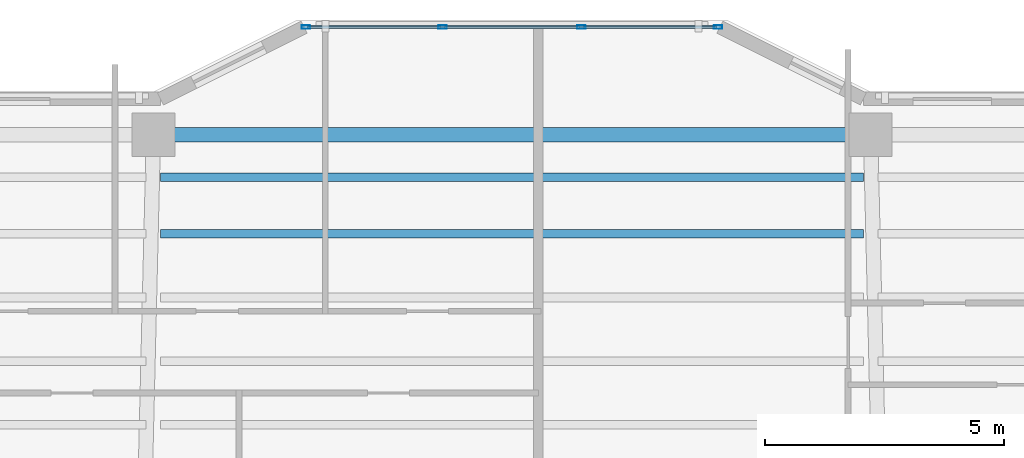
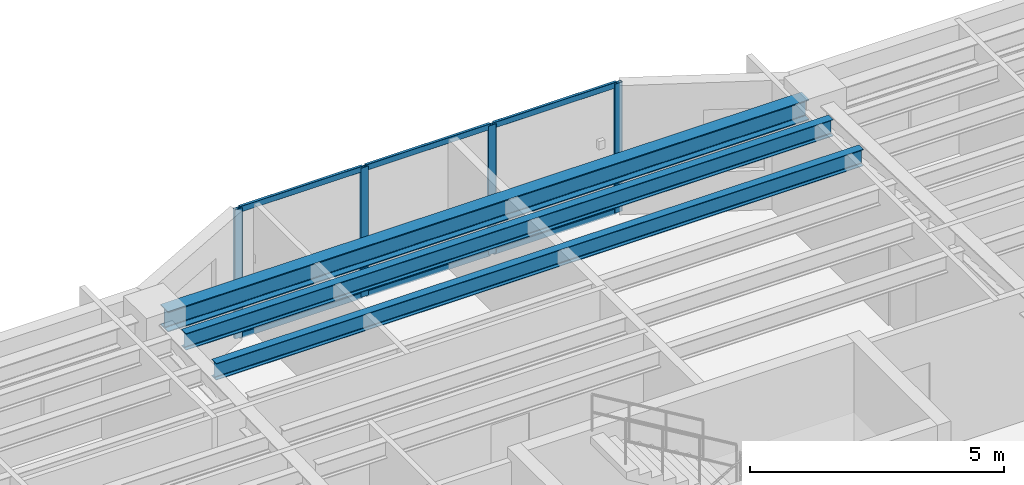
# One storey, part 4 of 16: 10 members, 3 beams, 1 element without a shape of its own.
"""IFC4 building model written with IfcOpenShell, lengths in metres."""

import ifcopenshell
import ifcopenshell.guid

model = None  # the IFC model being written
_history = None  # IfcOwnerHistory: only IFC2X3 demands one
_inside = {}  # id of a spatial element -> (the spatial element, [elements in it])
_under = {}  # id of a project, library or spatial element -> (it, [spatial elements below it])
_declared = {}  # id of a project -> (the project, [libraries it declares])
_typed = {}  # id of a type object -> (the type object, [elements of that type])
_made_of = {}  # id of a material, layer set ... -> (it, [elements and type objects made of it])


def new_model(schema):
    """Start an empty IFC model of exactly this schema.

    Asked for "IFC4X3", IfcOpenShell would pick the latest addendum, in which some entities
    have other attributes; the version numbers below select the first issue.
    IFC2X3 requires an IfcOwnerHistory on every rooted entity: one is made here for all.
    """
    global model, _history
    if schema == "IFC4X3":
        model = ifcopenshell.file(schema_version=(4, 3, 0, 0))
    else:
        model = ifcopenshell.file(schema=schema)
    _inside.clear()
    _under.clear()
    _declared.clear()
    _typed.clear()
    _made_of.clear()
    _history = None
    if model.schema == "IFC2X3":
        org = make("IfcOrganization", Name="unknown")
        user = make(
            "IfcPersonAndOrganization",
            ThePerson=make("IfcPerson", FamilyName="unknown"),
            TheOrganization=org,
        )
        app = make(
            "IfcApplication",
            ApplicationDeveloper=org,
            Version="unknown",
            ApplicationFullName="unknown",
            ApplicationIdentifier="unknown",
        )
        _history = make(
            "IfcOwnerHistory",
            OwningUser=user,
            OwningApplication=app,
            ChangeAction="ADDED",
            CreationDate=0,
        )
    return model


def make(cls, **values):
    """One entity of the class cls with the attributes given. An attribute that is None is left unset."""
    return model.create_entity(
        cls, **{name: value for name, value in values.items() if value is not None}
    )


def rooted(cls, **values):
    """An entity with a GlobalId (a new one), such as an element, a storey or a relation."""
    return make(cls, GlobalId=ifcopenshell.guid.new(), OwnerHistory=_history, **values)


def si_unit(unit_type, name, prefix=None):
    """IfcSIUnit, for example si_unit("LENGTHUNIT", "METRE", prefix="MILLI")."""
    return make("IfcSIUnit", UnitType=unit_type, Prefix=prefix, Name=name)


def assignment(units):
    """IfcUnitAssignment: the units of a project."""
    return None if units is None else make("IfcUnitAssignment", Units=units)


def point(xyz):
    """IfcCartesianPoint."""
    return None if xyz is None else make("IfcCartesianPoint", Coordinates=xyz)


def direction(xyz):
    """IfcDirection."""
    return None if xyz is None else make("IfcDirection", DirectionRatios=xyz)


def frame(location, z_axis=None, x_axis=None):
    """IfcAxis2Placement3D, a coordinate frame: its origin and axes. An axis left out is left unset."""
    return make(
        "IfcAxis2Placement3D",
        Location=point(location),
        Axis=direction(z_axis),
        RefDirection=direction(x_axis),
    )


def frame_2d(location, x_axis=None):
    """IfcAxis2Placement2D, a coordinate frame in the plane: its origin and x axis."""
    return make(
        "IfcAxis2Placement2D", Location=point(location), RefDirection=direction(x_axis)
    )


def origin():
    """The frame at (0, 0, 0) with its axes left unset."""
    return frame((0.0, 0.0, 0.0))


def origin_2d():
    """The frame at (0, 0) in the plane with its x axis left unset."""
    return frame_2d((0.0, 0.0))


def place(relative_to, where):
    """IfcLocalPlacement: puts the frame where relative to a parent placement (None: the world)."""
    return make(
        "IfcLocalPlacement", PlacementRelTo=relative_to, RelativePlacement=where
    )


def context(
    kind, dimensions, precision=None, world=None, true_north=None, identifier=None
):
    """IfcGeometricRepresentationContext, for example the 3D "Model" context."""
    return make(
        "IfcGeometricRepresentationContext",
        ContextIdentifier=identifier,
        ContextType=kind,
        CoordinateSpaceDimension=dimensions,
        Precision=precision,
        WorldCoordinateSystem=world,
        TrueNorth=true_north,
    )


def subcontext(parent, identifier, kind, view, scale=None):
    """IfcGeometricRepresentationSubContext, for example "Body" below "Model"."""
    return make(
        "IfcGeometricRepresentationSubContext",
        ContextIdentifier=identifier,
        ContextType=kind,
        ParentContext=parent,
        TargetScale=scale,
        TargetView=view,
    )


def project(units=None, contexts=None):
    """IfcProject with its units and contexts."""
    return rooted(
        "IfcProject",
        Name="project",
        RepresentationContexts=contexts,
        UnitsInContext=assignment(units),
    )


def spatial(cls, under=None, at=None, **own):
    """A site, building, storey or space (cls), placed at a placement, below another one or the project."""
    s = rooted(cls, ObjectPlacement=at, **own)
    if under is not None:
        _under.setdefault(under.id(), (under, []))[1].append(s)
    return s


def profile(cls, at=None, kind="AREA", **sizes):
    """A parametric profile (cls). Its sizes go by their IFC names, for example OverallWidth=200.0."""
    return make(cls, ProfileType=kind, Position=at, **sizes)


def hollow_rectangle(**sizes):
    """IfcRectangleHollowProfileDef."""
    return profile("IfcRectangleHollowProfileDef", **sizes)


def i_section(**sizes):
    """IfcIShapeProfileDef."""
    return profile("IfcIShapeProfileDef", **sizes)


def extrude(swept, where, along, depth):
    """IfcExtrudedAreaSolid: the profile swept, set in the frame where, extruded along a direction by depth."""
    return make(
        "IfcExtrudedAreaSolid",
        SweptArea=swept,
        Position=where,
        ExtrudedDirection=direction(along),
        Depth=depth,
    )


def shape(context_of_items, identifier, shape_type, items):
    """IfcShapeRepresentation: the items that make up one representation, for example the "Body"."""
    return make(
        "IfcShapeRepresentation",
        ContextOfItems=context_of_items,
        RepresentationIdentifier=identifier,
        RepresentationType=shape_type,
        Items=items,
    )


def material(Name=None, Category=None):
    """IfcMaterial."""
    return make("IfcMaterial", Name=Name, Category=Category)


def layer(
    of_material, thickness, ventilated=None, Name=None, Category=None, Priority=None
):
    """IfcMaterialLayer: one layer of a wall or slab, of a material (None: an air gap)."""
    return make(
        "IfcMaterialLayer",
        Material=of_material,
        LayerThickness=thickness,
        IsVentilated=ventilated,
        Name=Name,
        Category=Category,
        Priority=Priority,
    )


def layer_set(layers, Name=None):
    """IfcMaterialLayerSet."""
    return make("IfcMaterialLayerSet", MaterialLayers=layers, LayerSetName=Name)


def material_profile(
    of_material, cross_section, Name=None, Category=None, Priority=None
):
    """IfcMaterialProfile: a cross section and its material."""
    return make(
        "IfcMaterialProfile",
        Name=Name,
        Material=of_material,
        Profile=cross_section,
        Priority=Priority,
        Category=Category,
    )


def profile_set(profiles, Name=None, composite=None):
    """IfcMaterialProfileSet."""
    return make(
        "IfcMaterialProfileSet",
        Name=Name,
        MaterialProfiles=profiles,
        CompositeProfile=composite,
    )


def made_of(thing, what):
    """Note that an element or type object is made of a material, layer set ...; save() writes the relation."""
    if what is not None:
        _made_of.setdefault(what.id(), (what, []))[1].append(thing)
    return thing


def type_object(cls, material=None, **own):
    """A type object (cls), such as IfcWallType, which elements share."""
    return made_of(rooted(cls, **own), material)


def element(
    cls,
    number,
    at=None,
    inside=None,
    cuts=None,
    type_object=None,
    material=None,
    context=None,
    identifier="Body",
    shape_type=None,
    held_by="IfcProductDefinitionShape",
    body=None,
    shapes=None,
    **own,
):
    """One element of the class cls, such as IfcWall. Its Tag is "e" and its number.

    at: its placement. inside: the storey or other place that contains it. cuts: it is an
    opening in that element (IfcRelVoidsElement). A single representation is given by context,
    identifier, shape_type and body (its items); several are given by shapes. held_by: the class
    of the entity that holds the representations. save() writes the other relations.
    """
    e = rooted(cls, Tag="e%d" % number, ObjectPlacement=at, **own)
    if body is not None:
        shapes = [shape(context, identifier, shape_type, body)]
    if shapes is not None:
        e.Representation = make(held_by, Representations=shapes)
    if inside is not None:
        _inside.setdefault(inside.id(), (inside, []))[1].append(e)
    if cuts is not None:
        rooted(
            "IfcRelVoidsElement", RelatingBuildingElement=cuts, RelatedOpeningElement=e
        )
    if type_object is not None:
        _typed.setdefault(type_object.id(), (type_object, []))[1].append(e)
    return made_of(e, material)


def aggregate(whole, parts):
    """IfcRelAggregates: a whole, such as a stair, and the parts it consists of."""
    return rooted("IfcRelAggregates", RelatingObject=whole, RelatedObjects=parts)


def save(model, path):
    """Write the relations noted so far, then the file.

    IfcRelAggregates (storeys below a building ...), IfcRelContainedInSpatialStructure (elements
    in a storey), IfcRelDefinesByType, IfcRelAssociatesMaterial and IfcRelDeclares: one each for
    every whole, place, type object, material and project.
    """
    for whole, parts in _under.values():
        aggregate(whole, parts)
    for where, things in _inside.values():
        rooted(
            "IfcRelContainedInSpatialStructure",
            RelatedElements=things,
            RelatingStructure=where,
        )
    for kind, things in _typed.values():
        rooted("IfcRelDefinesByType", RelatedObjects=things, RelatingType=kind)
    for what, things in _made_of.values():
        rooted("IfcRelAssociatesMaterial", RelatedObjects=things, RelatingMaterial=what)
    for by, libraries in _declared.values():
        rooted("IfcRelDeclares", RelatingContext=by, RelatedDefinitions=libraries)
    model.write(path)


model = new_model("IFC4")

# Units and contexts
model_context = context("Model", 3, precision=1e-05, world=origin(), true_north=direction((0.0, 1.0)))
body_context = subcontext(model_context, "Body", "Model", "MODEL_VIEW")
ifc_project = project(units=[si_unit("LENGTHUNIT", "METRE"), si_unit("AREAUNIT", "SQUARE_METRE"), si_unit("VOLUMEUNIT", "CUBIC_METRE"), si_unit("PLANEANGLEUNIT", "RADIAN"), si_unit("MASSUNIT", "GRAM", prefix="KILO")], contexts=[model_context])

# Site, building, storey
site_placement = place(None, origin())
site = spatial("IfcSite", under=ifc_project, at=site_placement, CompositionType="ELEMENT")
building_placement = place(site_placement, origin())
building = spatial("IfcBuilding", under=site, at=building_placement, Name="Tarnavaz Court Tower", CompositionType="ELEMENT")
storey_placement = place(building_placement, frame((0.0, 0.0, 146.0)))
storey = spatial("IfcBuildingStorey", under=building, at=storey_placement, Name="L39", CompositionType="ELEMENT", Elevation=146.0)

# Beams
ifc_material_1 = material(Name="Steel S355", Category="steel")
ifc_material_profile_1 = material_profile(ifc_material_1, i_section(OverallWidth=0.179931640625, OverallDepth=0.39990234375, WebThickness=0.008544921875, FlangeThickness=0.013427734375, FilletRadius=0.02099609375, at=origin_2d()), Name="IPE 400")
ifc_profile_set_1 = profile_set([ifc_material_profile_1], Name="Steel S355")
beam_type_1 = type_object("IfcBeamType", Name="BM-J-IPE400", PredefinedType="JOIST", material=ifc_profile_set_1)
for number, where, z_axis, x_axis, name in (
    (1, (-7.35009765625, 18.327880859375, 2.89990234375), (1.0, 0.0, 0.0), (0.0, 1.0, 0.0), "L39 Beam JN4-2"),
    (2, (-7.35009765625, 19.511962890625, 2.89990234375), (1.0, 0.0, 0.0), (0.0, 1.0, 0.0), "L39 Beam JN5-2"),
):
    element("IfcBeam", number, at=place(storey_placement, frame(where, z_axis=z_axis, x_axis=x_axis)), inside=storey, type_object=beam_type_1, Name=name, PredefinedType="JOIST", context=body_context, shape_type="SweptSolid", body=[
        extrude(i_section(OverallWidth=0.179931640625, OverallDepth=0.39990234375, WebThickness=0.008544921875, FlangeThickness=0.013427734375, FilletRadius=0.02099609375, at=origin_2d()), origin(), (0.0, 0.0, 1.0), 14.7001953125),
    ])
ifc_material_profile_2 = material_profile(ifc_material_1, i_section(OverallWidth=0.300048828125, OverallDepth=0.489990234375, WebThickness=0.011962890625, FlangeThickness=0.02294921875, FilletRadius=0.027099609375, at=origin_2d()), Name="HEA 500")
ifc_profile_set_2 = profile_set([ifc_material_profile_2], Name="Steel S355")
beam_type_2 = type_object("IfcBeamType", Name="BM-SP-HEA500", PredefinedType="SPANDREL", material=ifc_profile_set_2)
beam_placement = place(storey_placement, frame((-7.280029296875, 20.39990234375, 2.85498046875), z_axis=(1.0, 0.0, 0.0), x_axis=(0.0, 1.0, 0.0)))
element("IfcBeam", 3, at=beam_placement, inside=storey, type_object=beam_type_2, Name="L39 Beam PR-PN-2-PN-3", PredefinedType="SPANDREL", context=body_context, shape_type="SweptSolid", body=[
    extrude(i_section(OverallWidth=0.300048828125, OverallDepth=0.489990234375, WebThickness=0.011962890625, FlangeThickness=0.02294921875, FilletRadius=0.027099609375, at=origin_2d()), origin(), (0.0, 0.0, 1.0), 14.56005859375),
])

# Curtain wall, members
ifc_material_2 = material(Name="Anodised Aluminium 6063-T6 and Solar Low-E Glazing", Category="aluminium")
ifc_layer = layer(ifc_material_2, 0.159912109375)
ifc_layer_set = layer_set([ifc_layer], Name="Anodised Aluminium 6063-T6 and Solar Low-E Glazing")
curtain_wall_type = type_object("IfcCurtainWallType", Name="CW-SYS-03", PredefinedType="NOTDEFINED", material=ifc_layer_set)
curtain_wall_placement = place(storey_placement, origin())
curtain_wall = element("IfcCurtainWall", 4, at=curtain_wall_placement, inside=storey, type_object=curtain_wall_type, Name="L39 Iwan Prow Curtain Wall 7", PredefinedType="NOTDEFINED")
ifc_material_3 = material(Name="Anodised Aluminium 6063-T6", Category="aluminium")
ifc_material_profile_3 = material_profile(ifc_material_3, hollow_rectangle(XDim=0.074951171875, YDim=0.179931640625, WallThickness=0.0048828125, InnerFilletRadius=0.0048828125, OuterFilletRadius=0.010009765625, at=origin_2d()), Name="ALU RHS 180X75X5")
ifc_profile_set_3 = profile_set([ifc_material_profile_3], Name="Anodised Aluminium 6063-T6")
member_type_1 = type_object("IfcMemberType", Name="CW-MUL-180", PredefinedType="MULLION", material=ifc_profile_set_3)
member_1_placement = place(storey_placement, frame((-4.3125, 22.64990234375, 0.0), z_axis=(0.0, 0.0, 1.0), x_axis=(0.0, 1.0, 0.0)))
member_1 = element("IfcMember", 5, at=member_1_placement, type_object=member_type_1, Name="CW mullion 1", PredefinedType="MULLION", context=body_context, shape_type="SweptSolid", body=[
    extrude(hollow_rectangle(XDim=0.074951171875, YDim=0.179931640625, WallThickness=0.0048828125, InnerFilletRadius=0.0048828125, OuterFilletRadius=0.010009765625, at=origin_2d()), origin(), (0.0, 0.0, 1.0), 3.10009765625),
])
member_2_placement = place(storey_placement, frame((-1.449951171875, 22.64990234375, 0.0), z_axis=(0.0, 0.0, 1.0), x_axis=(0.0, 1.0, 0.0)))
member_2 = element("IfcMember", 6, at=member_2_placement, type_object=member_type_1, Name="CW mullion 2", PredefinedType="MULLION", context=body_context, shape_type="SweptSolid", body=[
    extrude(hollow_rectangle(XDim=0.074951171875, YDim=0.179931640625, WallThickness=0.0048828125, InnerFilletRadius=0.0048828125, OuterFilletRadius=0.010009765625, at=origin_2d()), origin(), (0.0, 0.0, 1.0), 3.10009765625),
])
member_3_placement = place(storey_placement, frame((1.449951171875, 22.64990234375, 0.0), z_axis=(0.0, 0.0, 1.0), x_axis=(0.0, 1.0, 0.0)))
member_3 = element("IfcMember", 7, at=member_3_placement, type_object=member_type_1, Name="CW mullion 3", PredefinedType="MULLION", context=body_context, shape_type="SweptSolid", body=[
    extrude(hollow_rectangle(XDim=0.074951171875, YDim=0.179931640625, WallThickness=0.0048828125, InnerFilletRadius=0.0048828125, OuterFilletRadius=0.010009765625, at=origin_2d()), origin(), (0.0, 0.0, 1.0), 3.10009765625),
])
member_4_placement = place(storey_placement, frame((4.3125, 22.64990234375, 0.0), z_axis=(0.0, 0.0, 1.0), x_axis=(0.0, 1.0, 0.0)))
member_4 = element("IfcMember", 8, at=member_4_placement, type_object=member_type_1, Name="CW mullion 4", PredefinedType="MULLION", context=body_context, shape_type="SweptSolid", body=[
    extrude(hollow_rectangle(XDim=0.074951171875, YDim=0.179931640625, WallThickness=0.0048828125, InnerFilletRadius=0.0048828125, OuterFilletRadius=0.010009765625, at=origin_2d()), origin(), (0.0, 0.0, 1.0), 3.10009765625),
])
ifc_material_profile_4 = material_profile(ifc_material_3, hollow_rectangle(XDim=0.06494140625, YDim=0.139892578125, WallThickness=0.00390625, InnerFilletRadius=0.00390625, OuterFilletRadius=0.008056640625, at=origin_2d()), Name="ALU RHS 140X65X4")
ifc_profile_set_4 = profile_set([ifc_material_profile_4], Name="Anodised Aluminium 6063-T6")
member_type_2 = type_object("IfcMemberType", Name="CW-TRN-140", PredefinedType="USERDEFINED", material=ifc_profile_set_4)
member_5_placement = place(storey_placement, frame((-4.27490234375, 22.64990234375, 0.032470703125), z_axis=(1.0, 0.0, 0.0), x_axis=(0.0, 1.0, 0.0)))
member_5 = element("IfcMember", 9, at=member_5_placement, type_object=member_type_2, Name="CW transom 1.1", ObjectType="TRANSOM", PredefinedType="USERDEFINED", context=body_context, shape_type="SweptSolid", body=[
    extrude(hollow_rectangle(XDim=0.06494140625, YDim=0.139892578125, WallThickness=0.00390625, InnerFilletRadius=0.00390625, OuterFilletRadius=0.008056640625, at=origin_2d()), origin(), (0.0, 0.0, 1.0), 2.787353515625),
])
member_6_placement = place(storey_placement, frame((-4.27490234375, 22.64990234375, 3.0673828125), z_axis=(1.0, 0.0, 0.0), x_axis=(0.0, 1.0, 0.0)))
member_6 = element("IfcMember", 10, at=member_6_placement, type_object=member_type_2, Name="CW transom 1.2", ObjectType="TRANSOM", PredefinedType="USERDEFINED", context=body_context, shape_type="SweptSolid", body=[
    extrude(hollow_rectangle(XDim=0.06494140625, YDim=0.139892578125, WallThickness=0.00390625, InnerFilletRadius=0.00390625, OuterFilletRadius=0.008056640625, at=origin_2d()), origin(), (0.0, 0.0, 1.0), 2.787353515625),
])
member_7_placement = place(storey_placement, frame((-1.41259765625, 22.64990234375, 0.032470703125), z_axis=(1.0, 0.0, 0.0), x_axis=(0.0, 1.0, 0.0)))
member_7 = element("IfcMember", 11, at=member_7_placement, type_object=member_type_2, Name="CW transom 2.1", ObjectType="TRANSOM", PredefinedType="USERDEFINED", context=body_context, shape_type="SweptSolid", body=[
    extrude(hollow_rectangle(XDim=0.06494140625, YDim=0.139892578125, WallThickness=0.00390625, InnerFilletRadius=0.00390625, OuterFilletRadius=0.008056640625, at=origin_2d()), origin(), (0.0, 0.0, 1.0), 2.8251953125),
])
member_8_placement = place(storey_placement, frame((-1.41259765625, 22.64990234375, 3.0673828125), z_axis=(1.0, 0.0, 0.0), x_axis=(0.0, 1.0, 0.0)))
member_8 = element("IfcMember", 12, at=member_8_placement, type_object=member_type_2, Name="CW transom 2.2", ObjectType="TRANSOM", PredefinedType="USERDEFINED", context=body_context, shape_type="SweptSolid", body=[
    extrude(hollow_rectangle(XDim=0.06494140625, YDim=0.139892578125, WallThickness=0.00390625, InnerFilletRadius=0.00390625, OuterFilletRadius=0.008056640625, at=origin_2d()), origin(), (0.0, 0.0, 1.0), 2.8251953125),
])
member_9_placement = place(storey_placement, frame((1.487548828125, 22.64990234375, 0.032470703125), z_axis=(1.0, 0.0, 0.0), x_axis=(0.0, 1.0, 0.0)))
member_9 = element("IfcMember", 13, at=member_9_placement, type_object=member_type_2, Name="CW transom 3.1", ObjectType="TRANSOM", PredefinedType="USERDEFINED", context=body_context, shape_type="SweptSolid", body=[
    extrude(hollow_rectangle(XDim=0.06494140625, YDim=0.139892578125, WallThickness=0.00390625, InnerFilletRadius=0.00390625, OuterFilletRadius=0.008056640625, at=origin_2d()), origin(), (0.0, 0.0, 1.0), 2.787353515625),
])
member_10_placement = place(storey_placement, frame((1.487548828125, 22.64990234375, 3.0673828125), z_axis=(1.0, 0.0, 0.0), x_axis=(0.0, 1.0, 0.0)))
member_10 = element("IfcMember", 14, at=member_10_placement, type_object=member_type_2, Name="CW transom 3.2", ObjectType="TRANSOM", PredefinedType="USERDEFINED", context=body_context, shape_type="SweptSolid", body=[
    extrude(hollow_rectangle(XDim=0.06494140625, YDim=0.139892578125, WallThickness=0.00390625, InnerFilletRadius=0.00390625, OuterFilletRadius=0.008056640625, at=origin_2d()), origin(), (0.0, 0.0, 1.0), 2.787353515625),
])
aggregate(curtain_wall, [member_1, member_2, member_3, member_4, member_5, member_6, member_7, member_8, member_9, member_10])

save(model, "model.ifc")
